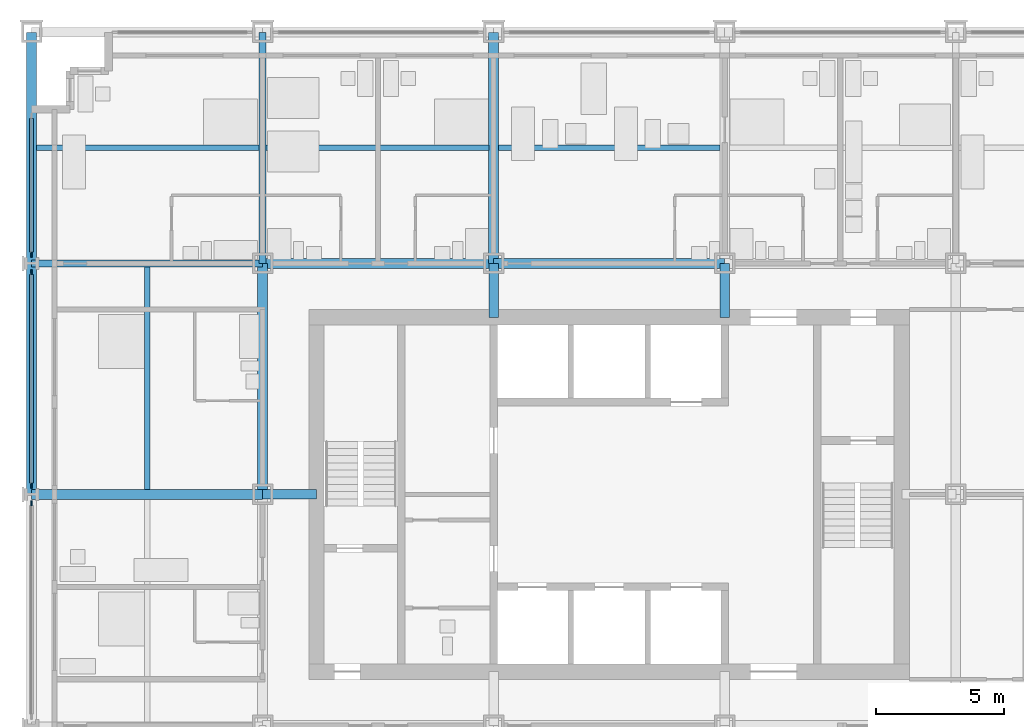
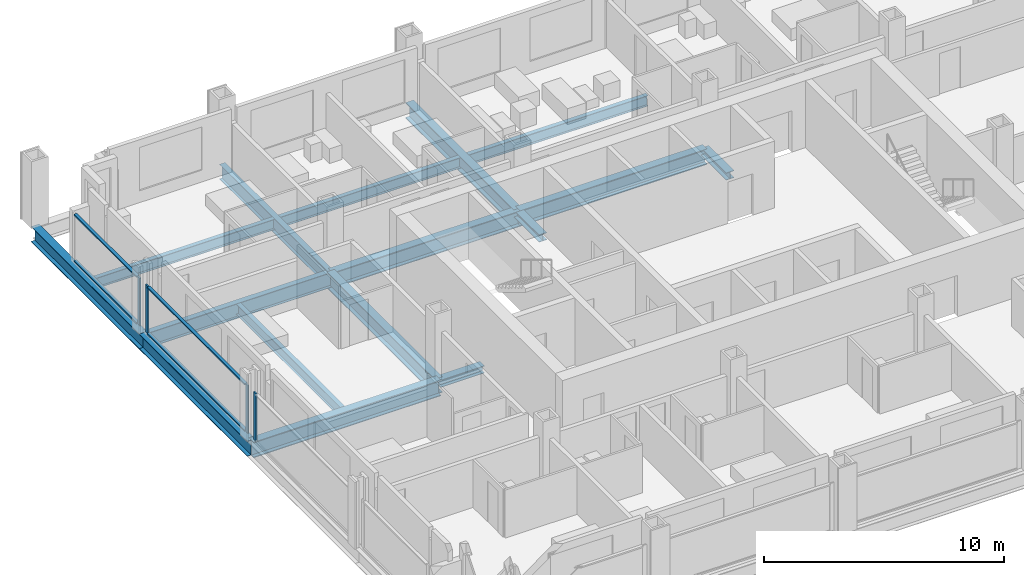
# One storey, part 4 of 18: 13 beams, 11 members, 3 elements without a shape of their own.
"""IFC4 building model written with IfcOpenShell, lengths in metres."""

from ifc_helpers import new_model, si_unit, direction, frame, origin, origin_2d, place, context, subcontext, project, spatial, rectangle, i_section, extrude, material, material_profile, profile_set, type_object, element, aggregate, save


model = new_model("IFC4")

# Units and contexts
model_context = context("Model", 3, precision=1e-05, world=origin(), true_north=direction((0.0, 1.0)))
body_context = subcontext(model_context, "Body", "Model", "MODEL_VIEW")
ifc_project = project(units=[si_unit("LENGTHUNIT", "METRE"), si_unit("AREAUNIT", "SQUARE_METRE"), si_unit("VOLUMEUNIT", "CUBIC_METRE"), si_unit("PLANEANGLEUNIT", "RADIAN"), si_unit("MASSUNIT", "GRAM", prefix="KILO")], contexts=[model_context])

# Site, building, storey
site_placement = place(None, origin())
site = spatial("IfcSite", under=ifc_project, at=site_placement, CompositionType="ELEMENT")
building_placement = place(site_placement, origin())
building = spatial("IfcBuilding", under=site, at=building_placement, Name="Loomwork Tower", CompositionType="ELEMENT")
storey_placement = place(building_placement, frame((0.0, 0.0, 38.199951171875)))
storey = spatial("IfcBuildingStorey", under=building, at=storey_placement, Name="L08", CompositionType="ELEMENT", Elevation=38.199951171875)

# Beams
ifc_material_1 = material(Name="Steel ASTM A992", Category="steel")
ifc_material_profile_1 = material_profile(ifc_material_1, i_section(OverallWidth=0.383544921875, OverallDepth=0.794921875, WebThickness=0.02099609375, FlangeThickness=0.0380859375, at=origin_2d()), Name="W30x235")
ifc_profile_set_1 = profile_set([ifc_material_profile_1], Name="Steel ASTM A992")
beam_type_1 = type_object("IfcBeamType", Name="CORE FLANK GIRDER W30x235", PredefinedType="BEAM", material=ifc_profile_set_1)
for number, where, z_axis, x_axis, name in (
    (1, (0.0, 18.0, -0.597412109375), (1.0, 0.0, 0.0), (0.0, 1.0, 0.0), "Core Flank Girder F/2-F/3 L08"),
    (2, (9.0, 27.0, -0.597412109375), (1.0, 0.0, 0.0), (0.0, 1.0, 0.0), "Core Flank Girder G/3-G/4 L08"),
    (3, (18.0, 27.0, -0.597412109375), (1.0, 0.0, 0.0), (0.0, 1.0, 0.0), "Core Flank Girder G/4-G/5 L08"),
    (4, (9.0, 18.0, -0.597412109375), (0.0, 1.0, 0.0), (-1.0, 0.0, 0.0), "Core Flank Girder F/3-G/3 L08"),
    (5, (18.0, 27.0, -0.597412109375), (0.0, 1.0, 0.0), (-1.0, 0.0, 0.0), "Core Flank Girder G/4-H/4 L08"),
):
    element("IfcBeam", number, at=place(storey_placement, frame(where, z_axis=z_axis, x_axis=x_axis)), inside=storey, type_object=beam_type_1, Name=name, PredefinedType="BEAM", context=body_context, shape_type="SweptSolid", body=[
        extrude(i_section(OverallWidth=0.383544921875, OverallDepth=0.794921875, WebThickness=0.02099609375, FlangeThickness=0.0380859375, at=origin_2d()), origin(), (0.0, 0.0, 1.0), 9.0),
    ])

# Members
ifc_material_2 = material(Name="Steel ASTM A992", Category="steel")
ifc_material_profile_2 = material_profile(ifc_material_2, i_section(OverallWidth=0.373291015625, OverallDepth=0.373291015625, WebThickness=0.016357421875, FlangeThickness=0.026123046875, at=origin_2d()), Name="W14x132")
ifc_profile_set_2 = profile_set([ifc_material_profile_2], Name="Steel ASTM A992")
member_type_1 = type_object("IfcMemberType", Name="CORE LINK STRUT W14x132", PredefinedType="STRUT", material=ifc_profile_set_2)
for number, where, z_axis, x_axis, name in (
    (6, (27.0, 27.0, -0.38671875), (0.0, -1.0, 0.0), (1.0, 0.0, 0.0), "Core link strut G/5-27.000,24.900 L08"),
    (7, (18.0, 27.0, -0.38671875), (0.0, -1.0, 0.0), (1.0, 0.0, 0.0), "Core link strut G/4-18.000,24.900 L08"),
    (8, (9.0, 18.0, -0.38671875), (1.0, 0.0, 0.0), (0.0, 1.0, 0.0), "Core link strut F/3-11.100,18.000 L08"),
):
    element("IfcMember", number, at=place(storey_placement, frame(where, z_axis=z_axis, x_axis=x_axis)), inside=storey, type_object=member_type_1, Name=name, PredefinedType="STRUT", context=body_context, shape_type="SweptSolid", body=[
        extrude(i_section(OverallWidth=0.373291015625, OverallDepth=0.373291015625, WebThickness=0.016357421875, FlangeThickness=0.026123046875, at=origin_2d()), origin(), (0.0, 0.0, 1.0), 2.10009765625),
    ])

# Beams
ifc_material_3 = material(Name="Steel ASTM A992", Category="steel")
ifc_material_profile_3 = material_profile(ifc_material_3, i_section(OverallWidth=0.2666015625, OverallDepth=0.761962890625, WebThickness=0.014404296875, FlangeThickness=0.021484375, at=origin_2d()), Name="W30x116")
ifc_profile_set_3 = profile_set([ifc_material_profile_3], Name="Steel ASTM A992")
beam_type_2 = type_object("IfcBeamType", Name="FLOOR GIRDER W30x116", PredefinedType="BEAM", material=ifc_profile_set_3)
for number, where, z_axis, x_axis, name in (
    (9, (0.0, 27.0, -0.5810546875), (1.0, 0.0, 0.0), (0.0, 1.0, 0.0), "Floor Girder G/2-G/3 L08"),
    (10, (9.0, 27.0, -0.5810546875), (0.0, 1.0, 0.0), (-1.0, 0.0, 0.0), "Floor Girder G/3-H/3 L08"),
):
    element("IfcBeam", number, at=place(storey_placement, frame(where, z_axis=z_axis, x_axis=x_axis)), inside=storey, type_object=beam_type_2, Name=name, PredefinedType="BEAM", context=body_context, shape_type="SweptSolid", body=[
        extrude(i_section(OverallWidth=0.2666015625, OverallDepth=0.761962890625, WebThickness=0.014404296875, FlangeThickness=0.021484375, at=origin_2d()), origin(), (0.0, 0.0, 1.0), 9.0),
    ])
ifc_material_4 = material(Name="Steel ASTM A992", Category="steel")
ifc_material_profile_4 = material_profile(ifc_material_4, i_section(OverallWidth=0.2109375, OverallDepth=0.53857421875, WebThickness=0.011474609375, FlangeThickness=0.018798828125, at=origin_2d()), Name="W21x73")
ifc_profile_set_4 = profile_set([ifc_material_profile_4], Name="Steel ASTM A992")
beam_type_3 = type_object("IfcBeamType", Name="FLOOR JOIST W21x73", PredefinedType="JOIST", material=ifc_profile_set_4)
beam_1_placement = place(storey_placement, frame((4.5, 18.19091796875, -0.46923828125), z_axis=(0.0, 1.0, 0.0), x_axis=(-1.0, 0.0, 0.0)))
element("IfcBeam", 11, at=beam_1_placement, inside=storey, type_object=beam_type_3, Name="Floor Joist 4.500,18.000-4.500,27.000 L08", PredefinedType="JOIST", context=body_context, shape_type="SweptSolid", body=[
    extrude(i_section(OverallWidth=0.2109375, OverallDepth=0.53857421875, WebThickness=0.011474609375, FlangeThickness=0.018798828125, at=origin_2d()), origin(), (0.0, 0.0, 1.0), 8.676025390625),
])
beam_2_placement = place(storey_placement, frame((0.18994140625, 31.5, -0.46923828125), z_axis=(1.0, 0.0, 0.0), x_axis=(0.0, 1.0, 0.0)))
element("IfcBeam", 12, at=beam_2_placement, inside=storey, type_object=beam_type_3, Name="Floor Joist 0.000,31.500-9.000,31.500 L08", PredefinedType="JOIST", context=body_context, shape_type="SweptSolid", body=[
    extrude(i_section(OverallWidth=0.2109375, OverallDepth=0.53857421875, WebThickness=0.011474609375, FlangeThickness=0.018798828125, at=origin_2d()), origin(), (0.0, 0.0, 1.0), 8.677001953125),
])
beam_3_placement = place(storey_placement, frame((9.133056640625, 31.5, -0.46923828125), z_axis=(1.0, 0.0, 0.0), x_axis=(0.0, 1.0, 0.0)))
element("IfcBeam", 13, at=beam_3_placement, inside=storey, type_object=beam_type_3, Name="Floor Joist 9.000,31.500-18.000,31.500 L08", PredefinedType="JOIST", context=body_context, shape_type="SweptSolid", body=[
    extrude(i_section(OverallWidth=0.2109375, OverallDepth=0.53857421875, WebThickness=0.011474609375, FlangeThickness=0.018798828125, at=origin_2d()), origin(), (0.0, 0.0, 1.0), 8.676025390625),
])
beam_4_placement = place(storey_placement, frame((18.19091796875, 31.5, -0.46923828125), z_axis=(1.0, 0.0, 0.0), x_axis=(0.0, 1.0, 0.0)))
element("IfcBeam", 14, at=beam_4_placement, inside=storey, type_object=beam_type_3, Name="Floor Joist 18.000,31.500-27.000,31.500 L08", PredefinedType="JOIST", context=body_context, shape_type="SweptSolid", body=[
    extrude(i_section(OverallWidth=0.2109375, OverallDepth=0.53857421875, WebThickness=0.011474609375, FlangeThickness=0.018798828125, at=origin_2d()), origin(), (0.0, 0.0, 1.0), 8.6181640625),
])

# Curtain wall, member
ifc_material_5 = material(Name="Aluminium curtain wall frame", Category="aluminium")
curtain_wall_type = type_object("IfcCurtainWallType", Name="Outer skin glazing hotel", PredefinedType="NOTDEFINED", material=ifc_material_5)
curtain_wall_1_placement = place(storey_placement, origin())
curtain_wall_1 = element("IfcCurtainWall", 15, at=curtain_wall_1_placement, inside=storey, type_object=curtain_wall_type, Name="Outer skin glazing hotel cw/W-9", PredefinedType="NOTDEFINED")
ifc_material_6 = material(Name="Aluminium curtain wall frame", Category="aluminium")
ifc_material_profile_5 = material_profile(ifc_material_6, rectangle(XDim=0.06494140625, YDim=0.199951171875, at=origin_2d()), Name="AL 65x200")
ifc_profile_set_5 = profile_set([ifc_material_profile_5], Name="Aluminium curtain wall frame")
member_type_2 = type_object("IfcMemberType", Name="Outer skin glazing hotel mullion", PredefinedType="MULLION", material=ifc_profile_set_5)
member_1_placement = place(storey_placement, frame((0.0, 17.6611328125, 0.0), z_axis=(0.0, 0.0, 1.0), x_axis=(1.0, 0.0, 0.0)))
member_1 = element("IfcMember", 16, at=member_1_placement, type_object=member_type_2, Name="CW1 mullion 1", PredefinedType="MULLION", context=body_context, shape_type="SweptSolid", body=[
    extrude(rectangle(XDim=0.06494140625, YDim=0.199951171875, at=origin_2d()), origin(), (0.0, 0.0, 1.0), 2.420166015625),
])
aggregate(curtain_wall_1, [member_1])

# Curtain wall, members
curtain_wall_2_placement = place(storey_placement, origin())
curtain_wall_2 = element("IfcCurtainWall", 17, at=curtain_wall_2_placement, inside=storey, type_object=curtain_wall_type, Name="Outer skin glazing hotel cw/W-18", PredefinedType="NOTDEFINED")
member_2_placement = place(storey_placement, frame((0.0, 26.6611328125, 0.0), z_axis=(0.0, 0.0, 1.0), x_axis=(1.0, 0.0, 0.0)))
member_2 = element("IfcMember", 18, at=member_2_placement, type_object=member_type_2, Name="CW1 mullion 1", PredefinedType="MULLION", context=body_context, shape_type="SweptSolid", body=[
    extrude(rectangle(XDim=0.06494140625, YDim=0.199951171875, at=origin_2d()), origin(), (0.0, 0.0, 1.0), 2.420166015625),
])
member_3_placement = place(storey_placement, frame((0.0, 18.3388671875, 0.0), z_axis=(0.0, 0.0, 1.0), x_axis=(1.0, 0.0, 0.0)))
member_3 = element("IfcMember", 19, at=member_3_placement, type_object=member_type_2, Name="CW1 mullion 2", PredefinedType="MULLION", context=body_context, shape_type="SweptSolid", body=[
    extrude(rectangle(XDim=0.06494140625, YDim=0.199951171875, at=origin_2d()), origin(), (0.0, 0.0, 1.0), 2.420166015625),
])

# Curtain wall, member
curtain_wall_3_placement = place(storey_placement, origin())
curtain_wall_3 = element("IfcCurtainWall", 20, at=curtain_wall_3_placement, inside=storey, type_object=curtain_wall_type, Name="Outer skin glazing hotel cw/W-27", PredefinedType="NOTDEFINED")
member_4_placement = place(storey_placement, frame((0.0, 27.3388671875, 0.0), z_axis=(0.0, 0.0, 1.0), x_axis=(1.0, 0.0, 0.0)))
member_4 = element("IfcMember", 21, at=member_4_placement, type_object=member_type_2, Name="CW1 mullion 2", PredefinedType="MULLION", context=body_context, shape_type="SweptSolid", body=[
    extrude(rectangle(XDim=0.06494140625, YDim=0.199951171875, at=origin_2d()), origin(), (0.0, 0.0, 1.0), 2.420166015625),
])

# Member
ifc_material_7 = material(Name="Aluminium curtain wall frame", Category="aluminium")
ifc_material_profile_6 = material_profile(ifc_material_7, rectangle(XDim=0.14990234375, YDim=0.06494140625, at=origin_2d()), Name="AL 65x150")
ifc_profile_set_6 = profile_set([ifc_material_profile_6], Name="Aluminium curtain wall frame")
member_type_3 = type_object("IfcMemberType", Name="Outer skin glazing hotel transom", PredefinedType="USERDEFINED", material=ifc_profile_set_6)
member_5_placement = place(storey_placement, frame((0.0, 26.561279296875, 0.032470703125), z_axis=(0.0, -1.0, 0.0), x_axis=(1.0, 0.0, 0.0)))
member_5 = element("IfcMember", 22, at=member_5_placement, type_object=member_type_3, Name="CW1 transom 1.1", ObjectType="TRANSOM", PredefinedType="USERDEFINED", context=body_context, shape_type="SweptSolid", body=[
    extrude(rectangle(XDim=0.14990234375, YDim=0.06494140625, at=origin_2d()), origin(), (0.0, 0.0, 1.0), 8.12255859375),
])

member_6_placement = place(storey_placement, frame((0.0, 26.561279296875, 2.3876953125), z_axis=(0.0, -1.0, 0.0), x_axis=(1.0, 0.0, 0.0)))
member_6 = element("IfcMember", 23, at=member_6_placement, type_object=member_type_3, Name="CW1 transom 1.2", ObjectType="TRANSOM", PredefinedType="USERDEFINED", context=body_context, shape_type="SweptSolid", body=[
    extrude(rectangle(XDim=0.14990234375, YDim=0.06494140625, at=origin_2d()), origin(), (0.0, 0.0, 1.0), 8.12255859375),
])

aggregate(curtain_wall_2, [member_2, member_3, member_5, member_6])

member_7_placement = place(storey_placement, frame((0.0, 32.64990234375, 0.032470703125), z_axis=(0.0, -1.0, 0.0), x_axis=(1.0, 0.0, 0.0)))
member_7 = element("IfcMember", 24, at=member_7_placement, type_object=member_type_3, Name="CW1 transom 1.1", ObjectType="TRANSOM", PredefinedType="USERDEFINED", context=body_context, shape_type="SweptSolid", body=[
    extrude(rectangle(XDim=0.14990234375, YDim=0.06494140625, at=origin_2d()), origin(), (0.0, 0.0, 1.0), 5.211181640625),
])

member_8_placement = place(storey_placement, frame((0.0, 32.64990234375, 2.3876953125), z_axis=(0.0, -1.0, 0.0), x_axis=(1.0, 0.0, 0.0)))
member_8 = element("IfcMember", 25, at=member_8_placement, type_object=member_type_3, Name="CW1 transom 1.2", ObjectType="TRANSOM", PredefinedType="USERDEFINED", context=body_context, shape_type="SweptSolid", body=[
    extrude(rectangle(XDim=0.14990234375, YDim=0.06494140625, at=origin_2d()), origin(), (0.0, 0.0, 1.0), 5.211181640625),
])

aggregate(curtain_wall_3, [member_4, member_7, member_8])

# Beams
ifc_material_8 = material(Name="Steel ASTM A992", Category="steel")
ifc_material_profile_7 = material_profile(ifc_material_8, i_section(OverallWidth=0.381103515625, OverallDepth=0.77978515625, WebThickness=0.01806640625, FlangeThickness=0.0302734375, at=origin_2d()), Name="W30x191")
ifc_profile_set_7 = profile_set([ifc_material_profile_7], Name="Steel ASTM A992")
beam_type_4 = type_object("IfcBeamType", Name="SPANDREL GIRDER W30x191", PredefinedType="SPANDREL", material=ifc_profile_set_7)
for number, where, z_axis, x_axis, name in (
    (26, (0.0, 18.0, -0.58984375), (0.0, 1.0, 0.0), (-1.0, 0.0, 0.0), "Spandrel Girder F/2-G/2 L08"),
    (27, (0.0, 27.0, -0.58984375), (0.0, 1.0, 0.0), (-1.0, 0.0, 0.0), "Spandrel Girder G/2-H/2 L08"),
):
    element("IfcBeam", number, at=place(storey_placement, frame(where, z_axis=z_axis, x_axis=x_axis)), inside=storey, type_object=beam_type_4, Name=name, PredefinedType="SPANDREL", context=body_context, shape_type="SweptSolid", body=[
        extrude(i_section(OverallWidth=0.381103515625, OverallDepth=0.77978515625, WebThickness=0.01806640625, FlangeThickness=0.0302734375, at=origin_2d()), origin(), (0.0, 0.0, 1.0), 9.0),
    ])

save(model, "model.ifc")
